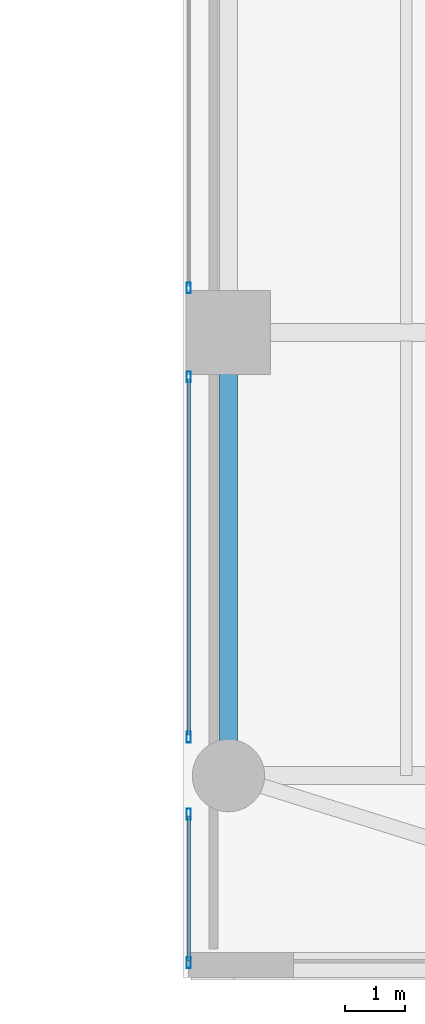
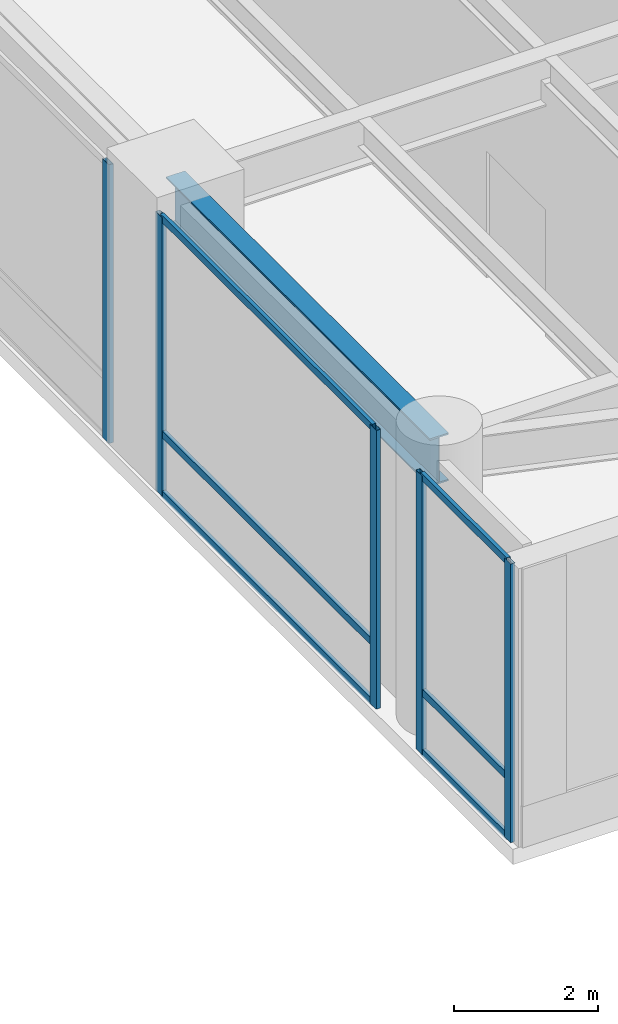
# One storey, part 8 of 24: 11 members, 1 beam, 3 elements without a shape of their own.
"""IFC4 building model written with IfcOpenShell, lengths in metres."""

from ifc_helpers import new_model, si_unit, direction, frame, origin, origin_2d, place, context, subcontext, project, spatial, hollow_rectangle, i_section, extrude, source, transform, mapped, material, layer, layer_set, material_profile, profile_set, type_object, type_shapes, element, aggregate, save


model = new_model("IFC4")

# Units and contexts
model_context = context("Model", 3, precision=1e-05, world=origin(), true_north=direction((0.0, 1.0)))
body_context = subcontext(model_context, "Body", "Model", "MODEL_VIEW")
ifc_project = project(units=[si_unit("LENGTHUNIT", "METRE"), si_unit("AREAUNIT", "SQUARE_METRE"), si_unit("VOLUMEUNIT", "CUBIC_METRE"), si_unit("PLANEANGLEUNIT", "RADIAN"), si_unit("MASSUNIT", "GRAM", prefix="KILO")], contexts=[model_context])

# Site, building, storey
site_placement = place(None, origin())
site = spatial("IfcSite", under=ifc_project, at=site_placement, CompositionType="ELEMENT")
building_placement = place(site_placement, origin())
building = spatial("IfcBuilding", under=site, at=building_placement, Name="Tolvann Quenvar Hotel", CompositionType="ELEMENT")
storey_placement = place(building_placement, frame((0.0, 0.0, 6.0)))
storey = spatial("IfcBuildingStorey", under=building, at=storey_placement, Name="L01", CompositionType="ELEMENT", Elevation=6.0)

# Beam
ifc_material_1 = material(Name="Steel Grade 350", Category="steel")
ifc_material_profile_1 = material_profile(ifc_material_1, i_section(OverallWidth=0.300048828125, OverallDepth=0.81591796875, WebThickness=0.010009765625, FlangeThickness=0.028076171875, at=origin_2d()), Name="800WB192")
ifc_profile_set_1 = profile_set([ifc_material_profile_1], Name="Steel Grade 350")
beam_type = type_object("IfcBeamType", Name="BM_GIRD_800WB192", PredefinedType="BEAM", material=ifc_profile_set_1)
shared_shape_1 = source(origin(), body_context, "Body", "SweptSolid", [
    extrude(i_section(OverallWidth=0.300048828125, OverallDepth=0.81591796875, WebThickness=0.010009765625, FlangeThickness=0.028076171875, at=origin_2d()), origin(), (0.0, 0.0, 1.0), 7.349853515625),
])
type_shapes(beam_type, [shared_shape_1])
beam_placement = place(storey_placement, frame((38.25, 0.85009765625, 4.33203125), z_axis=(0.0, 1.0, 0.0), x_axis=(-1.0, 0.0, 0.0)))
element("IfcBeam", 1, at=beam_placement, inside=storey, type_object=beam_type, Name="BM-L01-NS-APE-0", PredefinedType="BEAM", context=body_context, shape_type="MappedRepresentation", body=[
    mapped(shared_shape_1, transform((0.0, 0.0, 0.0), x_axis=(1.0, 0.0, 0.0), y_axis=(0.0, 1.0, 0.0), z_axis=(0.0, 0.0, 1.0), scale=1.0)),
])

# Curtain wall, members
ifc_material_2 = material(Name="Thermally broken anodised architectural aluminium 6063-T6 and laminated low-E glass", Category="aluminium")
ifc_layer = layer(ifc_material_2, 0.179931640625)
ifc_layer_set = layer_set([ifc_layer], Name="Thermally broken anodised architectural aluminium 6063-T6 and laminated low-E glass")
curtain_wall_type = type_object("IfcCurtainWallType", Name="CW_SYS_ARCH_01", PredefinedType="USERDEFINED", material=ifc_layer_set)
curtain_wall_1_placement = place(storey_placement, origin())
curtain_wall_1 = element("IfcCurtainWall", 2, at=curtain_wall_1_placement, inside=storey, type_object=curtain_wall_type, Name="Curtain Wall CW-ARCH-01 (CWR-L01-E03-S5)", ObjectType="UNITISED CURTAIN WALL", PredefinedType="USERDEFINED")
ifc_material_3 = material(Name="Anodised architectural aluminium 6063-T6 framing", Category="aluminium")
ifc_material_profile_2 = material_profile(ifc_material_3, hollow_rectangle(XDim=0.06005859375, YDim=0.1201171875, WallThickness=0.00341796875, at=origin_2d()), Name="120x60x3.5RHS")
ifc_profile_set_2 = profile_set([ifc_material_profile_2], Name="Anodised architectural aluminium 6063-T6 framing")
member_type_1 = type_object("IfcMemberType", Name="CW_TRAN_120x60", PredefinedType="USERDEFINED", material=ifc_profile_set_2)
shared_shape_2 = source(origin(), body_context, "Body", "SweptSolid", [
    extrude(hollow_rectangle(XDim=0.06005859375, YDim=0.1201171875, WallThickness=0.00341796875, at=origin_2d()), origin(), (0.0, 0.0, 1.0), 2.39599609375),
])
member_1_placement = place(storey_placement, frame((37.590087890625, 0.176025390625, 0.030029296875), z_axis=(0.0, -1.0, 0.0), x_axis=(1.0, 0.0, 0.0)))
member_1 = element("IfcMember", 3, at=member_1_placement, type_object=member_type_1, Name="CW-ARCH-01 transom 1.1", ObjectType="TRANSOM", PredefinedType="USERDEFINED", context=body_context, shape_type="MappedRepresentation", body=[
    mapped(shared_shape_2, transform((0.0, 0.0, 0.0), x_axis=(1.0, 0.0, 0.0), y_axis=(0.0, 1.0, 0.0), z_axis=(0.0, 0.0, 1.0), scale=1.0)),
])
member_2_placement = place(storey_placement, frame((37.590087890625, 0.176025390625, 1.050048828125), z_axis=(0.0, -1.0, 0.0), x_axis=(1.0, 0.0, 0.0)))
member_2 = element("IfcMember", 4, at=member_2_placement, type_object=member_type_1, Name="CW-ARCH-01 transom 1.2", ObjectType="TRANSOM", PredefinedType="USERDEFINED", context=body_context, shape_type="MappedRepresentation", body=[
    mapped(shared_shape_2, transform((0.0, 0.0, 0.0), x_axis=(1.0, 0.0, 0.0), y_axis=(0.0, 1.0, 0.0), z_axis=(0.0, 0.0, 1.0), scale=1.0)),
])
member_3_placement = place(storey_placement, frame((37.590087890625, 0.176025390625, 4.7099609375), z_axis=(0.0, -1.0, 0.0), x_axis=(1.0, 0.0, 0.0)))
member_3 = element("IfcMember", 5, at=member_3_placement, type_object=member_type_1, Name="CW-ARCH-01 transom 1.3", ObjectType="TRANSOM", PredefinedType="USERDEFINED", context=body_context, shape_type="MappedRepresentation", body=[
    mapped(shared_shape_2, transform((0.0, 0.0, 0.0), x_axis=(1.0, 0.0, 0.0), y_axis=(0.0, 1.0, 0.0), z_axis=(0.0, 0.0, 1.0), scale=1.0)),
])

curtain_wall_2_placement = place(storey_placement, origin())
curtain_wall_2 = element("IfcCurtainWall", 6, at=curtain_wall_2_placement, inside=storey, type_object=curtain_wall_type, Name="Curtain Wall CW-ARCH-01 (CWR-L01-E03-S4)", ObjectType="UNITISED CURTAIN WALL", PredefinedType="USERDEFINED")
shared_shape_3 = source(origin(), body_context, "Body", "SweptSolid", [
    extrude(hollow_rectangle(XDim=0.06005859375, YDim=0.1201171875, WallThickness=0.00341796875, at=origin_2d()), origin(), (0.0, 0.0, 1.0), 5.902099609375),
])
type_shapes(member_type_1, [shared_shape_2, shared_shape_3])
member_4_placement = place(storey_placement, frame((37.590087890625, 7.426025390625, 0.030029296875), z_axis=(0.0, -1.0, 0.0), x_axis=(1.0, 0.0, 0.0)))
member_4 = element("IfcMember", 7, at=member_4_placement, type_object=member_type_1, Name="CW-ARCH-01 transom 1.1", ObjectType="TRANSOM", PredefinedType="USERDEFINED", context=body_context, shape_type="MappedRepresentation", body=[
    mapped(shared_shape_3, transform((0.0, 0.0, 0.0), x_axis=(1.0, 0.0, 0.0), y_axis=(0.0, 1.0, 0.0), z_axis=(0.0, 0.0, 1.0), scale=1.0)),
])
member_5_placement = place(storey_placement, frame((37.590087890625, 7.426025390625, 1.050048828125), z_axis=(0.0, -1.0, 0.0), x_axis=(1.0, 0.0, 0.0)))
member_5 = element("IfcMember", 8, at=member_5_placement, type_object=member_type_1, Name="CW-ARCH-01 transom 1.2", ObjectType="TRANSOM", PredefinedType="USERDEFINED", context=body_context, shape_type="MappedRepresentation", body=[
    mapped(shared_shape_3, transform((0.0, 0.0, 0.0), x_axis=(1.0, 0.0, 0.0), y_axis=(0.0, 1.0, 0.0), z_axis=(0.0, 0.0, 1.0), scale=1.0)),
])
member_6_placement = place(storey_placement, frame((37.590087890625, 7.426025390625, 4.7099609375), z_axis=(0.0, -1.0, 0.0), x_axis=(1.0, 0.0, 0.0)))
member_6 = element("IfcMember", 9, at=member_6_placement, type_object=member_type_1, Name="CW-ARCH-01 transom 1.3", ObjectType="TRANSOM", PredefinedType="USERDEFINED", context=body_context, shape_type="MappedRepresentation", body=[
    mapped(shared_shape_3, transform((0.0, 0.0, 0.0), x_axis=(1.0, 0.0, 0.0), y_axis=(0.0, 1.0, 0.0), z_axis=(0.0, 0.0, 1.0), scale=1.0)),
])

# Curtain wall, member
curtain_wall_3_placement = place(storey_placement, origin())
curtain_wall_3 = element("IfcCurtainWall", 10, at=curtain_wall_3_placement, inside=storey, type_object=curtain_wall_type, Name="Curtain Wall CW-ARCH-01 (CWR-L01-E03-S3)", ObjectType="UNITISED CURTAIN WALL", PredefinedType="USERDEFINED")
ifc_material_profile_3 = material_profile(ifc_material_3, hollow_rectangle(XDim=0.070068359375, YDim=0.179931640625, WallThickness=0.00390625, at=origin_2d()), Name="180x70x4RHS")
ifc_profile_set_3 = profile_set([ifc_material_profile_3], Name="Anodised architectural aluminium 6063-T6 framing")
member_type_2 = type_object("IfcMemberType", Name="CW_MULL_180x70", PredefinedType="MULLION", material=ifc_profile_set_3)
shared_shape_4 = source(origin(), body_context, "Body", "SweptSolid", [
    extrude(hollow_rectangle(XDim=0.070068359375, YDim=0.179931640625, WallThickness=0.00390625, at=origin_2d()), origin(), (0.0, 0.0, 1.0), 4.739990234375),
])
type_shapes(member_type_2, [shared_shape_4])
member_7_placement = place(storey_placement, frame((37.590087890625, 8.93896484375, 0.0), z_axis=(0.0, 0.0, 1.0), x_axis=(1.0, 0.0, 0.0)))
member_7 = element("IfcMember", 11, at=member_7_placement, type_object=member_type_2, Name="CW-ARCH-01 mullion 2", PredefinedType="MULLION", context=body_context, shape_type="MappedRepresentation", body=[
    mapped(shared_shape_4, transform((0.0, 0.0, 0.0), x_axis=(1.0, 0.0, 0.0), y_axis=(0.0, 1.0, 0.0), z_axis=(0.0, 0.0, 1.0), scale=1.0)),
])
aggregate(curtain_wall_3, [member_7])

# Member
member_8_placement = place(storey_placement, frame((37.590087890625, 7.4609375, 0.0), z_axis=(0.0, 0.0, 1.0), x_axis=(1.0, 0.0, 0.0)))
member_8 = element("IfcMember", 12, at=member_8_placement, type_object=member_type_2, Name="CW-ARCH-01 mullion 1", PredefinedType="MULLION", context=body_context, shape_type="MappedRepresentation", body=[
    mapped(shared_shape_4, transform((0.0, 0.0, 0.0), x_axis=(1.0, 0.0, 0.0), y_axis=(0.0, 1.0, 0.0), z_axis=(0.0, 0.0, 1.0), scale=1.0)),
])

member_9_placement = place(storey_placement, frame((37.590087890625, 1.489013671875, 0.0), z_axis=(0.0, 0.0, 1.0), x_axis=(1.0, 0.0, 0.0)))
member_9 = element("IfcMember", 13, at=member_9_placement, type_object=member_type_2, Name="CW-ARCH-01 mullion 2", PredefinedType="MULLION", context=body_context, shape_type="MappedRepresentation", body=[
    mapped(shared_shape_4, transform((0.0, 0.0, 0.0), x_axis=(1.0, 0.0, 0.0), y_axis=(0.0, 1.0, 0.0), z_axis=(0.0, 0.0, 1.0), scale=1.0)),
])

aggregate(curtain_wall_2, [member_8, member_9, member_4, member_5, member_6])

member_10_placement = place(storey_placement, frame((37.590087890625, 0.2109375, 0.0), z_axis=(0.0, 0.0, 1.0), x_axis=(1.0, 0.0, 0.0)))
member_10 = element("IfcMember", 14, at=member_10_placement, type_object=member_type_2, Name="CW-ARCH-01 mullion 1", PredefinedType="MULLION", context=body_context, shape_type="MappedRepresentation", body=[
    mapped(shared_shape_4, transform((0.0, 0.0, 0.0), x_axis=(1.0, 0.0, 0.0), y_axis=(0.0, 1.0, 0.0), z_axis=(0.0, 0.0, 1.0), scale=1.0)),
])

member_11_placement = place(storey_placement, frame((37.590087890625, -2.2548828125, 0.0), z_axis=(0.0, 0.0, 1.0), x_axis=(1.0, 0.0, 0.0)))
member_11 = element("IfcMember", 15, at=member_11_placement, type_object=member_type_2, Name="CW-ARCH-01 mullion 2", PredefinedType="MULLION", context=body_context, shape_type="MappedRepresentation", body=[
    mapped(shared_shape_4, transform((0.0, 0.0, 0.0), x_axis=(1.0, 0.0, 0.0), y_axis=(0.0, 1.0, 0.0), z_axis=(0.0, 0.0, 1.0), scale=1.0)),
])

aggregate(curtain_wall_1, [member_10, member_11, member_1, member_2, member_3])

save(model, "model.ifc")
